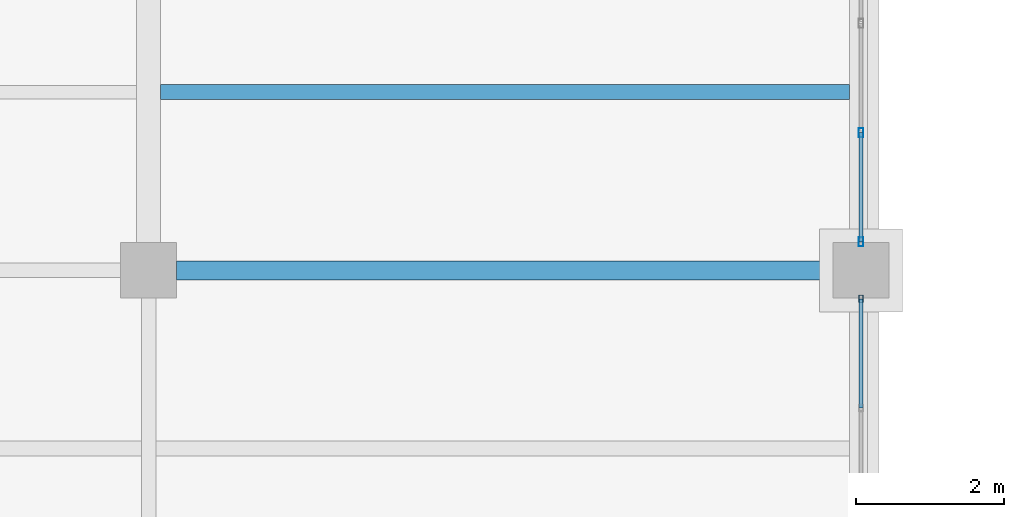
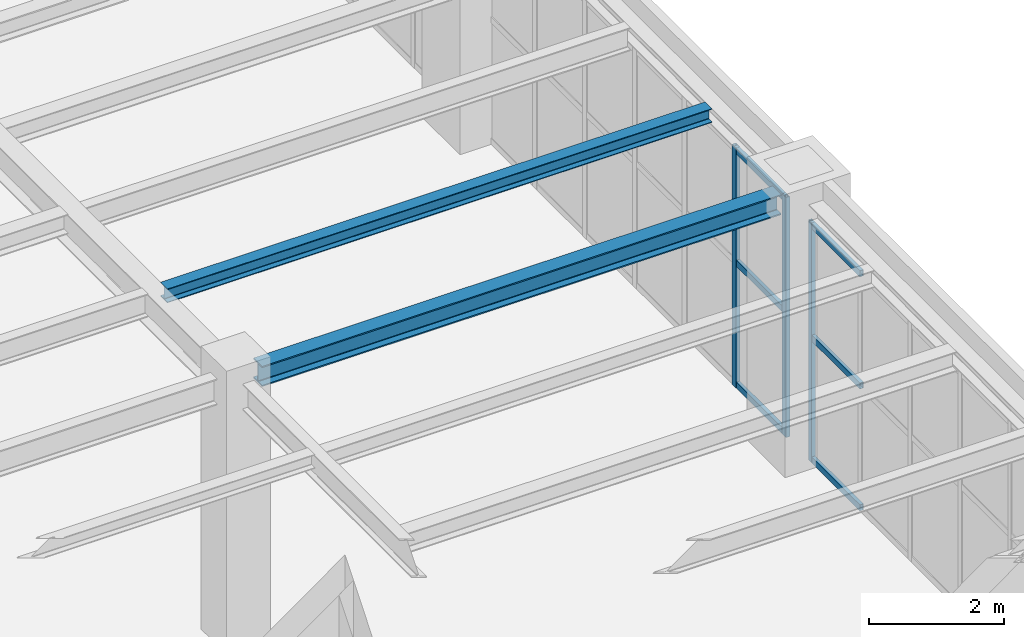
# One storey, part 72 of 174: 9 members, 2 beams, 2 elements without a shape of their own.
"""IFC4 building model written with IfcOpenShell, lengths in metres."""

import ifcopenshell
import ifcopenshell.guid

model = None  # the IFC model being written
_history = None  # IfcOwnerHistory: only IFC2X3 demands one
_inside = {}  # id of a spatial element -> (the spatial element, [elements in it])
_under = {}  # id of a project, library or spatial element -> (it, [spatial elements below it])
_declared = {}  # id of a project -> (the project, [libraries it declares])
_typed = {}  # id of a type object -> (the type object, [elements of that type])
_made_of = {}  # id of a material, layer set ... -> (it, [elements and type objects made of it])


def new_model(schema):
    """Start an empty IFC model of exactly this schema.

    Asked for "IFC4X3", IfcOpenShell would pick the latest addendum, in which some entities
    have other attributes; the version numbers below select the first issue.
    IFC2X3 requires an IfcOwnerHistory on every rooted entity: one is made here for all.
    """
    global model, _history
    if schema == "IFC4X3":
        model = ifcopenshell.file(schema_version=(4, 3, 0, 0))
    else:
        model = ifcopenshell.file(schema=schema)
    _inside.clear()
    _under.clear()
    _declared.clear()
    _typed.clear()
    _made_of.clear()
    _history = None
    if model.schema == "IFC2X3":
        org = make("IfcOrganization", Name="unknown")
        user = make(
            "IfcPersonAndOrganization",
            ThePerson=make("IfcPerson", FamilyName="unknown"),
            TheOrganization=org,
        )
        app = make(
            "IfcApplication",
            ApplicationDeveloper=org,
            Version="unknown",
            ApplicationFullName="unknown",
            ApplicationIdentifier="unknown",
        )
        _history = make(
            "IfcOwnerHistory",
            OwningUser=user,
            OwningApplication=app,
            ChangeAction="ADDED",
            CreationDate=0,
        )
    return model


def make(cls, **values):
    """One entity of the class cls with the attributes given. An attribute that is None is left unset."""
    return model.create_entity(
        cls, **{name: value for name, value in values.items() if value is not None}
    )


def rooted(cls, **values):
    """An entity with a GlobalId (a new one), such as an element, a storey or a relation."""
    return make(cls, GlobalId=ifcopenshell.guid.new(), OwnerHistory=_history, **values)


def si_unit(unit_type, name, prefix=None):
    """IfcSIUnit, for example si_unit("LENGTHUNIT", "METRE", prefix="MILLI")."""
    return make("IfcSIUnit", UnitType=unit_type, Prefix=prefix, Name=name)


def assignment(units):
    """IfcUnitAssignment: the units of a project."""
    return None if units is None else make("IfcUnitAssignment", Units=units)


def point(xyz):
    """IfcCartesianPoint."""
    return None if xyz is None else make("IfcCartesianPoint", Coordinates=xyz)


def direction(xyz):
    """IfcDirection."""
    return None if xyz is None else make("IfcDirection", DirectionRatios=xyz)


def frame(location, z_axis=None, x_axis=None):
    """IfcAxis2Placement3D, a coordinate frame: its origin and axes. An axis left out is left unset."""
    return make(
        "IfcAxis2Placement3D",
        Location=point(location),
        Axis=direction(z_axis),
        RefDirection=direction(x_axis),
    )


def frame_2d(location, x_axis=None):
    """IfcAxis2Placement2D, a coordinate frame in the plane: its origin and x axis."""
    return make(
        "IfcAxis2Placement2D", Location=point(location), RefDirection=direction(x_axis)
    )


def origin():
    """The frame at (0, 0, 0) with its axes left unset."""
    return frame((0.0, 0.0, 0.0))


def origin_2d():
    """The frame at (0, 0) in the plane with its x axis left unset."""
    return frame_2d((0.0, 0.0))


def place(relative_to, where):
    """IfcLocalPlacement: puts the frame where relative to a parent placement (None: the world)."""
    return make(
        "IfcLocalPlacement", PlacementRelTo=relative_to, RelativePlacement=where
    )


def context(
    kind, dimensions, precision=None, world=None, true_north=None, identifier=None
):
    """IfcGeometricRepresentationContext, for example the 3D "Model" context."""
    return make(
        "IfcGeometricRepresentationContext",
        ContextIdentifier=identifier,
        ContextType=kind,
        CoordinateSpaceDimension=dimensions,
        Precision=precision,
        WorldCoordinateSystem=world,
        TrueNorth=true_north,
    )


def subcontext(parent, identifier, kind, view, scale=None):
    """IfcGeometricRepresentationSubContext, for example "Body" below "Model"."""
    return make(
        "IfcGeometricRepresentationSubContext",
        ContextIdentifier=identifier,
        ContextType=kind,
        ParentContext=parent,
        TargetScale=scale,
        TargetView=view,
    )


def project(units=None, contexts=None):
    """IfcProject with its units and contexts."""
    return rooted(
        "IfcProject",
        Name="project",
        RepresentationContexts=contexts,
        UnitsInContext=assignment(units),
    )


def spatial(cls, under=None, at=None, **own):
    """A site, building, storey or space (cls), placed at a placement, below another one or the project."""
    s = rooted(cls, ObjectPlacement=at, **own)
    if under is not None:
        _under.setdefault(under.id(), (under, []))[1].append(s)
    return s


def profile(cls, at=None, kind="AREA", **sizes):
    """A parametric profile (cls). Its sizes go by their IFC names, for example OverallWidth=200.0."""
    return make(cls, ProfileType=kind, Position=at, **sizes)


def hollow_rectangle(**sizes):
    """IfcRectangleHollowProfileDef."""
    return profile("IfcRectangleHollowProfileDef", **sizes)


def i_section(**sizes):
    """IfcIShapeProfileDef."""
    return profile("IfcIShapeProfileDef", **sizes)


def extrude(swept, where, along, depth):
    """IfcExtrudedAreaSolid: the profile swept, set in the frame where, extruded along a direction by depth."""
    return make(
        "IfcExtrudedAreaSolid",
        SweptArea=swept,
        Position=where,
        ExtrudedDirection=direction(along),
        Depth=depth,
    )


def shape(context_of_items, identifier, shape_type, items):
    """IfcShapeRepresentation: the items that make up one representation, for example the "Body"."""
    return make(
        "IfcShapeRepresentation",
        ContextOfItems=context_of_items,
        RepresentationIdentifier=identifier,
        RepresentationType=shape_type,
        Items=items,
    )


def material(Name=None, Category=None):
    """IfcMaterial."""
    return make("IfcMaterial", Name=Name, Category=Category)


def material_profile(
    of_material, cross_section, Name=None, Category=None, Priority=None
):
    """IfcMaterialProfile: a cross section and its material."""
    return make(
        "IfcMaterialProfile",
        Name=Name,
        Material=of_material,
        Profile=cross_section,
        Priority=Priority,
        Category=Category,
    )


def profile_set(profiles, Name=None, composite=None):
    """IfcMaterialProfileSet."""
    return make(
        "IfcMaterialProfileSet",
        Name=Name,
        MaterialProfiles=profiles,
        CompositeProfile=composite,
    )


def made_of(thing, what):
    """Note that an element or type object is made of a material, layer set ...; save() writes the relation."""
    if what is not None:
        _made_of.setdefault(what.id(), (what, []))[1].append(thing)
    return thing


def type_object(cls, material=None, **own):
    """A type object (cls), such as IfcWallType, which elements share."""
    return made_of(rooted(cls, **own), material)


def element(
    cls,
    number,
    at=None,
    inside=None,
    cuts=None,
    type_object=None,
    material=None,
    context=None,
    identifier="Body",
    shape_type=None,
    held_by="IfcProductDefinitionShape",
    body=None,
    shapes=None,
    **own,
):
    """One element of the class cls, such as IfcWall. Its Tag is "e" and its number.

    at: its placement. inside: the storey or other place that contains it. cuts: it is an
    opening in that element (IfcRelVoidsElement). A single representation is given by context,
    identifier, shape_type and body (its items); several are given by shapes. held_by: the class
    of the entity that holds the representations. save() writes the other relations.
    """
    e = rooted(cls, Tag="e%d" % number, ObjectPlacement=at, **own)
    if body is not None:
        shapes = [shape(context, identifier, shape_type, body)]
    if shapes is not None:
        e.Representation = make(held_by, Representations=shapes)
    if inside is not None:
        _inside.setdefault(inside.id(), (inside, []))[1].append(e)
    if cuts is not None:
        rooted(
            "IfcRelVoidsElement", RelatingBuildingElement=cuts, RelatedOpeningElement=e
        )
    if type_object is not None:
        _typed.setdefault(type_object.id(), (type_object, []))[1].append(e)
    return made_of(e, material)


def aggregate(whole, parts):
    """IfcRelAggregates: a whole, such as a stair, and the parts it consists of."""
    return rooted("IfcRelAggregates", RelatingObject=whole, RelatedObjects=parts)


def save(model, path):
    """Write the relations noted so far, then the file.

    IfcRelAggregates (storeys below a building ...), IfcRelContainedInSpatialStructure (elements
    in a storey), IfcRelDefinesByType, IfcRelAssociatesMaterial and IfcRelDeclares: one each for
    every whole, place, type object, material and project.
    """
    for whole, parts in _under.values():
        aggregate(whole, parts)
    for where, things in _inside.values():
        rooted(
            "IfcRelContainedInSpatialStructure",
            RelatedElements=things,
            RelatingStructure=where,
        )
    for kind, things in _typed.values():
        rooted("IfcRelDefinesByType", RelatedObjects=things, RelatingType=kind)
    for what, things in _made_of.values():
        rooted("IfcRelAssociatesMaterial", RelatedObjects=things, RelatingMaterial=what)
    for by, libraries in _declared.values():
        rooted("IfcRelDeclares", RelatingContext=by, RelatedDefinitions=libraries)
    model.write(path)


model = new_model("IFC4")

# Units and contexts
model_context = context("Model", 3, precision=1e-05, world=origin(), true_north=direction((0.0, 1.0)))
body_context = subcontext(model_context, "Body", "Model", "MODEL_VIEW")
ifc_project = project(units=[si_unit("LENGTHUNIT", "METRE"), si_unit("AREAUNIT", "SQUARE_METRE"), si_unit("VOLUMEUNIT", "CUBIC_METRE"), si_unit("PLANEANGLEUNIT", "RADIAN"), si_unit("MASSUNIT", "GRAM", prefix="KILO")], contexts=[model_context])

# Site, building, storey
site_placement = place(None, origin())
site = spatial("IfcSite", under=ifc_project, at=site_placement, CompositionType="ELEMENT")
building_placement = place(site_placement, origin())
building = spatial("IfcBuilding", under=site, at=building_placement, Name="Mavantir Sound Aquarium", CompositionType="ELEMENT")
storey_placement = place(building_placement, frame((0.0, 0.0, 5.39990234375)))
storey = spatial("IfcBuildingStorey", under=building, at=storey_placement, Name="L01", CompositionType="ELEMENT", Elevation=5.39990234375)

# Beams
ifc_material_1 = material(Name="Structural Steel ASTM A992 Gr50", Category="steel")
ifc_material_profile_1 = material_profile(ifc_material_1, i_section(OverallWidth=0.202880859375, OverallDepth=0.251953125, WebThickness=0.008056640625, FlangeThickness=0.013427734375, FilletRadius=0.011962890625, at=origin_2d()), Name="W250X58")
ifc_profile_set_1 = profile_set([ifc_material_profile_1], Name="Structural Steel ASTM A992 Gr50")
beam_type_1 = type_object("IfcBeamType", Name="BM-W250X58-I", PredefinedType="JOIST", material=ifc_profile_set_1)
beam_1_placement = place(storey_placement, frame((28.9619140625, 95.60009765625, 4.650146484375), z_axis=(1.0, 0.0, 0.0), x_axis=(0.0, 1.0, 0.0)))
element("IfcBeam", 1, at=beam_1_placement, inside=storey, type_object=beam_type_1, Name="L01 secondary floor joist SJ-25 812", PredefinedType="JOIST", context=body_context, shape_type="SweptSolid", body=[
    extrude(i_section(OverallWidth=0.202880859375, OverallDepth=0.251953125, WebThickness=0.008056640625, FlangeThickness=0.013427734375, FilletRadius=0.011962890625, at=origin_2d()), origin(), (0.0, 0.0, 1.0), 9.28564453125),
])
ifc_material_profile_2 = material_profile(ifc_material_1, i_section(OverallWidth=0.257080078125, OverallDepth=0.363037109375, WebThickness=0.012939453125, FlangeThickness=0.021728515625, FilletRadius=0.014892578125, at=origin_2d()), Name="W360X122")
ifc_profile_set_2 = profile_set([ifc_material_profile_2], Name="Structural Steel ASTM A992 Gr50")
beam_type_2 = type_object("IfcBeamType", Name="BM-W360X122-I", PredefinedType="BEAM", material=ifc_profile_set_2)
beam_2_placement = place(storey_placement, frame((29.175048828125, 93.199951171875, 4.594482421875), z_axis=(1.0, 0.0, 0.0), x_axis=(0.0, 1.0, 0.0)))
element("IfcBeam", 2, at=beam_2_placement, inside=storey, type_object=beam_type_2, Name="L01 primary beam SB-36A 1364", PredefinedType="BEAM", context=body_context, shape_type="SweptSolid", body=[
    extrude(i_section(OverallWidth=0.257080078125, OverallDepth=0.363037109375, WebThickness=0.012939453125, FlangeThickness=0.021728515625, FilletRadius=0.014892578125, at=origin_2d()), origin(), (0.0, 0.0, 1.0), 8.849853515625),
])

# Curtain wall, member
ifc_material_2 = material(Name="Anodised Marine Aluminium and Low-E Glass", Category="aluminium")
curtain_wall_type_1 = type_object("IfcCurtainWallType", Name="CW-T17", PredefinedType="USERDEFINED", material=ifc_material_2)
curtain_wall_1_placement = place(storey_placement, origin())
curtain_wall_1 = element("IfcCurtainWall", 3, at=curtain_wall_1_placement, inside=storey, type_object=curtain_wall_type_1, Name="L01 unitised curtain wall CW-17 113", ObjectType="UNITISED GLAZING", PredefinedType="USERDEFINED")
ifc_material_3 = material(Name="Anodised Marine Aluminium 6063-T6", Category="aluminium")
ifc_material_profile_3 = material_profile(ifc_material_3, hollow_rectangle(XDim=0.06005859375, YDim=0.10009765625, WallThickness=0.00390625, at=origin_2d()), Name="ALU-MULLION-100X60")
ifc_profile_set_3 = profile_set([ifc_material_profile_3], Name="Anodised Marine Aluminium 6063-T6")
member_type_1 = type_object("IfcMemberType", Name="CW-MUL-100", PredefinedType="MULLION", material=ifc_profile_set_3)
member_1_placement = place(storey_placement, frame((38.39990234375, 92.81689453125, 0.0), z_axis=(0.0, 0.0, 1.0), x_axis=(1.0, 0.0, 0.0)))
member_1 = element("IfcMember", 4, at=member_1_placement, type_object=member_type_1, Name="CW-L01-113 vertical mullion 7", PredefinedType="MULLION", context=body_context, shape_type="SweptSolid", body=[
    extrude(hollow_rectangle(XDim=0.06005859375, YDim=0.10009765625, WallThickness=0.00390625, at=origin_2d()), origin(), (0.0, 0.0, 1.0), 4.3291015625),
])

# Curtain wall, members
curtain_wall_type_2 = type_object("IfcCurtainWallType", Name="CW-T18", PredefinedType="USERDEFINED", material=ifc_material_2)
curtain_wall_2_placement = place(storey_placement, origin())
curtain_wall_2 = element("IfcCurtainWall", 5, at=curtain_wall_2_placement, inside=storey, type_object=curtain_wall_type_2, Name="L01 unitised curtain wall CW-18 114", ObjectType="UNITISED GLAZING", PredefinedType="USERDEFINED")
ifc_material_profile_4 = material_profile(ifc_material_3, hollow_rectangle(XDim=0.06494140625, YDim=0.1201171875, WallThickness=0.00390625, at=origin_2d()), Name="ALU-MULLION-120X65")
ifc_profile_set_4 = profile_set([ifc_material_profile_4], Name="Anodised Marine Aluminium 6063-T6")
member_type_2 = type_object("IfcMemberType", Name="CW-MUL-120", PredefinedType="MULLION", material=ifc_profile_set_4)
member_2_placement = place(storey_placement, frame((38.39990234375, 93.5830078125, 0.0), z_axis=(0.0, 0.0, 1.0), x_axis=(1.0, 0.0, 0.0)))
member_2 = element("IfcMember", 6, at=member_2_placement, type_object=member_type_2, Name="CW-L01-114 vertical mullion 1", PredefinedType="MULLION", context=body_context, shape_type="SweptSolid", body=[
    extrude(hollow_rectangle(XDim=0.06494140625, YDim=0.1201171875, WallThickness=0.00390625, at=origin_2d()), origin(), (0.0, 0.0, 1.0), 4.3291015625),
])
member_3_placement = place(storey_placement, frame((38.39990234375, 95.055419921875, 0.0), z_axis=(0.0, 0.0, 1.0), x_axis=(1.0, 0.0, 0.0)))
member_3 = element("IfcMember", 7, at=member_3_placement, type_object=member_type_2, Name="CW-L01-114 vertical mullion 2", PredefinedType="MULLION", context=body_context, shape_type="SweptSolid", body=[
    extrude(hollow_rectangle(XDim=0.06494140625, YDim=0.1201171875, WallThickness=0.00390625, at=origin_2d()), origin(), (0.0, 0.0, 1.0), 4.3291015625),
])

# Member
ifc_material_profile_5 = material_profile(ifc_material_3, hollow_rectangle(XDim=0.06005859375, YDim=0.110107421875, WallThickness=0.00390625, at=origin_2d()), Name="ALU-TRANSOM-110X60")
ifc_profile_set_5 = profile_set([ifc_material_profile_5], Name="Anodised Marine Aluminium 6063-T6")
member_type_3 = type_object("IfcMemberType", Name="CW-TRN-110", PredefinedType="USERDEFINED", material=ifc_profile_set_5)
member_4_placement = place(storey_placement, frame((38.39990234375, 91.3447265625, 0.05517578125), z_axis=(0.0, 1.0, 0.0), x_axis=(-1.0, 0.0, 0.0)))
member_4 = element("IfcMember", 8, at=member_4_placement, type_object=member_type_3, Name="CW-L01-113 transom 6.1", ObjectType="TRANSOM", PredefinedType="USERDEFINED", context=body_context, shape_type="SweptSolid", body=[
    extrude(hollow_rectangle(XDim=0.06005859375, YDim=0.110107421875, WallThickness=0.00390625, at=origin_2d()), origin(), (0.0, 0.0, 1.0), 1.47216796875),
])

member_5_placement = place(storey_placement, frame((38.39990234375, 91.3447265625, 2.251220703125), z_axis=(0.0, 1.0, 0.0), x_axis=(-1.0, 0.0, 0.0)))
member_5 = element("IfcMember", 9, at=member_5_placement, type_object=member_type_3, Name="CW-L01-113 transom 6.2", ObjectType="TRANSOM", PredefinedType="USERDEFINED", context=body_context, shape_type="SweptSolid", body=[
    extrude(hollow_rectangle(XDim=0.06005859375, YDim=0.110107421875, WallThickness=0.00390625, at=origin_2d()), origin(), (0.0, 0.0, 1.0), 1.47216796875),
])

member_6_placement = place(storey_placement, frame((38.39990234375, 91.3447265625, 4.274169921875), z_axis=(0.0, 1.0, 0.0), x_axis=(-1.0, 0.0, 0.0)))
member_6 = element("IfcMember", 10, at=member_6_placement, type_object=member_type_3, Name="CW-L01-113 transom 6.3", ObjectType="TRANSOM", PredefinedType="USERDEFINED", context=body_context, shape_type="SweptSolid", body=[
    extrude(hollow_rectangle(XDim=0.06005859375, YDim=0.110107421875, WallThickness=0.00390625, at=origin_2d()), origin(), (0.0, 0.0, 1.0), 1.47216796875),
])

aggregate(curtain_wall_1, [member_1, member_4, member_5, member_6])

member_7_placement = place(storey_placement, frame((38.39990234375, 93.5830078125, 0.05517578125), z_axis=(0.0, 1.0, 0.0), x_axis=(-1.0, 0.0, 0.0)))
member_7 = element("IfcMember", 11, at=member_7_placement, type_object=member_type_3, Name="CW-L01-114 transom 1.1", ObjectType="TRANSOM", PredefinedType="USERDEFINED", context=body_context, shape_type="SweptSolid", body=[
    extrude(hollow_rectangle(XDim=0.06005859375, YDim=0.110107421875, WallThickness=0.00390625, at=origin_2d()), origin(), (0.0, 0.0, 1.0), 1.472412109375),
])

member_8_placement = place(storey_placement, frame((38.39990234375, 93.5830078125, 2.251220703125), z_axis=(0.0, 1.0, 0.0), x_axis=(-1.0, 0.0, 0.0)))
member_8 = element("IfcMember", 12, at=member_8_placement, type_object=member_type_3, Name="CW-L01-114 transom 1.2", ObjectType="TRANSOM", PredefinedType="USERDEFINED", context=body_context, shape_type="SweptSolid", body=[
    extrude(hollow_rectangle(XDim=0.06005859375, YDim=0.110107421875, WallThickness=0.00390625, at=origin_2d()), origin(), (0.0, 0.0, 1.0), 1.472412109375),
])

member_9_placement = place(storey_placement, frame((38.39990234375, 93.5830078125, 4.274169921875), z_axis=(0.0, 1.0, 0.0), x_axis=(-1.0, 0.0, 0.0)))
member_9 = element("IfcMember", 13, at=member_9_placement, type_object=member_type_3, Name="CW-L01-114 transom 1.3", ObjectType="TRANSOM", PredefinedType="USERDEFINED", context=body_context, shape_type="SweptSolid", body=[
    extrude(hollow_rectangle(XDim=0.06005859375, YDim=0.110107421875, WallThickness=0.00390625, at=origin_2d()), origin(), (0.0, 0.0, 1.0), 1.472412109375),
])

aggregate(curtain_wall_2, [member_2, member_3, member_7, member_8, member_9])

save(model, "model.ifc")
